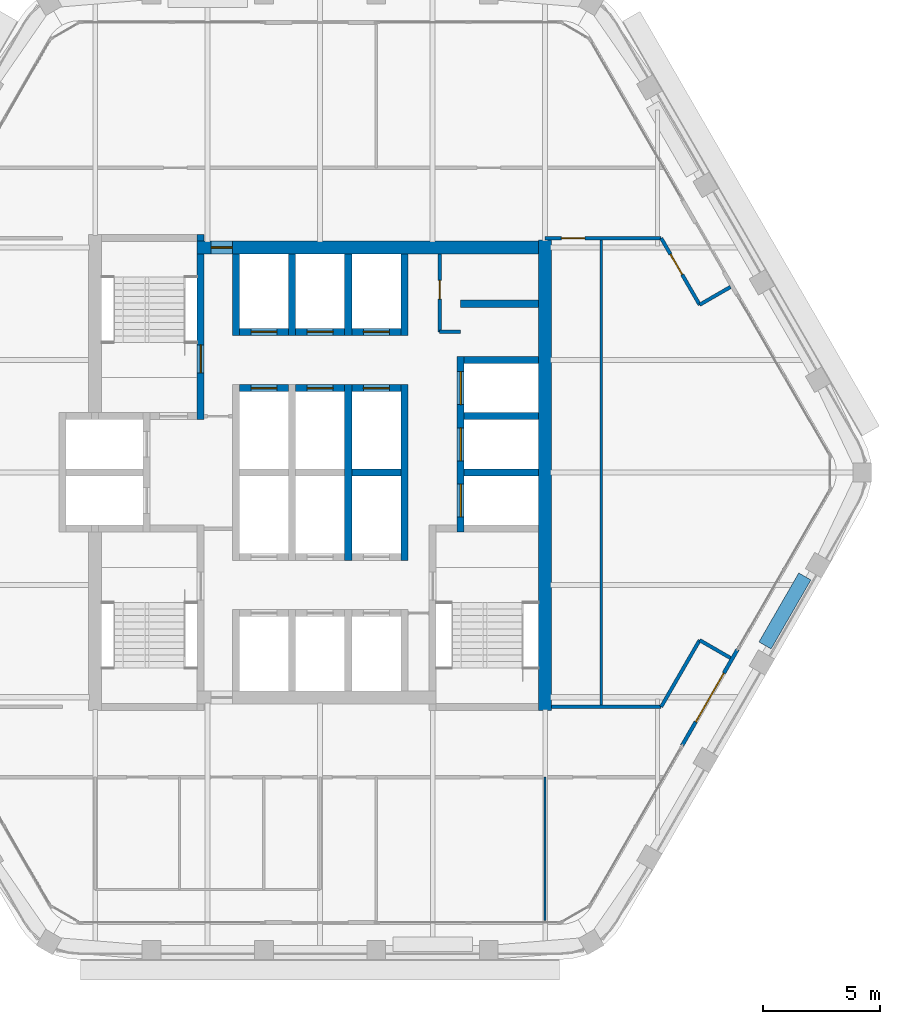
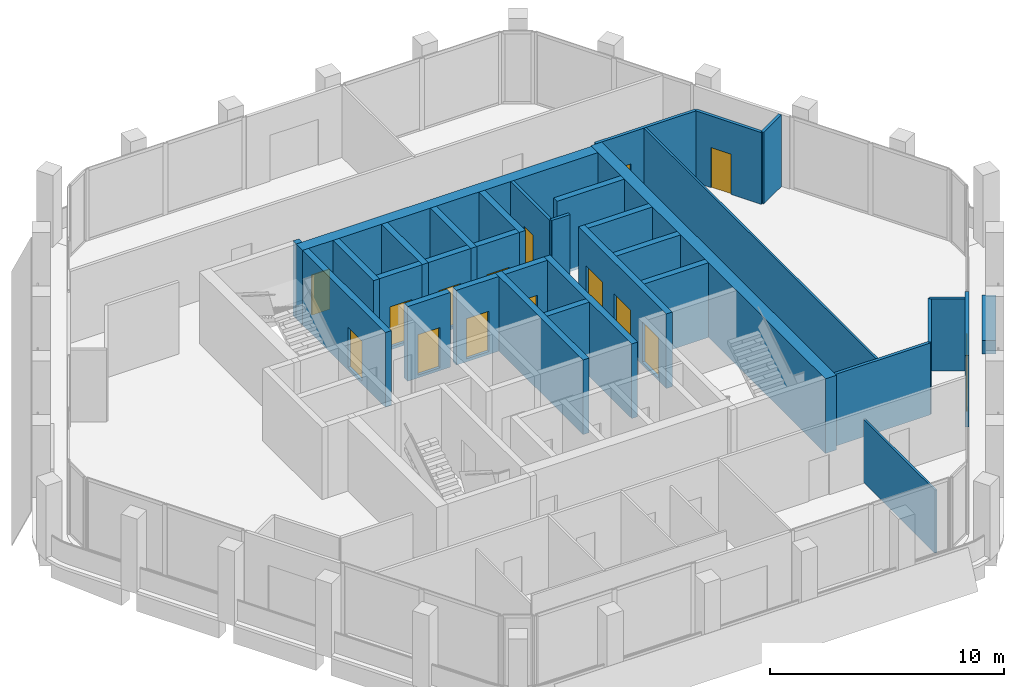
# One storey, part 9 of 13: 34 walls, 15 doors, 15 openings.
"""IFC4 building model written with IfcOpenShell, lengths in metres."""

from ifc_helpers import new_model, si_unit, direction, frame, frame_2d, origin, place, context, subcontext, project, spatial, rectangle, extrude, material, layer, layer_set, type_object, element, fill, save


model = new_model("IFC4")

# Units and contexts
model_context = context("Model", 3, precision=1e-05, world=origin(), true_north=direction((0.0, 1.0)))
body_context = subcontext(model_context, "Body", "Model", "MODEL_VIEW")
ifc_project = project(units=[si_unit("LENGTHUNIT", "METRE"), si_unit("AREAUNIT", "SQUARE_METRE"), si_unit("VOLUMEUNIT", "CUBIC_METRE"), si_unit("PLANEANGLEUNIT", "RADIAN"), si_unit("MASSUNIT", "GRAM", prefix="KILO")], contexts=[model_context])

# Site, building, storey
site_placement = place(None, origin())
site = spatial("IfcSite", under=ifc_project, at=site_placement, CompositionType="ELEMENT")
building_placement = place(site_placement, origin())
building = spatial("IfcBuilding", under=site, at=building_placement, Name="Kolab Exchange Tower", CompositionType="ELEMENT")
storey_placement = place(building_placement, frame((0.0, 0.0, 273.5)))
storey = spatial("IfcBuildingStorey", under=building, at=storey_placement, Name="L61", CompositionType="ELEMENT", Elevation=273.5)

# Wall, opening, door
ifc_material_1 = material(Name="Concrete C50/60", Category="concrete")
ifc_layer_1 = layer(ifc_material_1, 0.550048828125)
ifc_layer_set_1 = layer_set([ifc_layer_1], Name="Concrete C50/60")
wall_type_1 = type_object("IfcWallType", Name="CORE WALL 550 C50/60", PredefinedType="SHEAR", material=ifc_layer_set_1)
wall_1_placement = place(storey_placement, frame((-5.25, 9.60009765625, -0.14990234375), z_axis=(0.0, 0.0, 1.0), x_axis=(1.0, 0.0, 0.0)))
wall_1 = element("IfcWall", 1, at=wall_1_placement, inside=storey, type_object=wall_type_1, Name="wall/L61/core/031", PredefinedType="SHEAR", context=body_context, shape_type="SweptSolid", body=[
    extrude(rectangle(XDim=14.574951171875, YDim=0.550048828125, at=frame_2d((7.28759765625, 0.0))), origin(), (0.0, 0.0, 1.0), 3.89990234375),
])
opening_1_placement = place(wall_1_placement, frame((0.60009765625, 0.0, 0.14990234375)))
opening_1 = element("IfcOpeningElement", 2, at=opening_1_placement, cuts=wall_1, Name="Opening D6-295", PredefinedType="OPENING", context=body_context, shape_type="SweptSolid", body=[
    extrude(rectangle(XDim=0.89990234375, YDim=2.10009765625, at=frame_2d((0.449951171875, 1.050048828125))), frame((0.0, 0.28515625, 0.0), z_axis=(0.0, -1.0, 0.0), x_axis=(1.0, 0.0, 0.0)), (0.0, 0.0, 1.0), 0.570068359375),
])
ifc_material_2 = material(Name="Steel S235", Category="steel")
door_type_1 = type_object("IfcDoorType", Name="CORE DOOR 900 EI 120", OperationType="SINGLE_SWING_LEFT", PredefinedType="DOOR", material=ifc_material_2)
door_1_placement = place(opening_1_placement, frame((0.89990234375, 0.0, 0.0), z_axis=(0.0, 0.0, 1.0), x_axis=(-1.0, 0.0, 0.0)))
door_1 = element("IfcDoor", 3, at=door_1_placement, inside=storey, type_object=door_type_1, Name="Core lobby door", OperationType="SINGLE_SWING_RIGHT", OverallHeight=2.10009765625, OverallWidth=0.89990234375, PredefinedType="DOOR", context=body_context, shape_type="SweptSolid", body=[
    extrude(rectangle(XDim=0.89990234375, YDim=2.10009765625, at=frame_2d((0.449951171875, 1.050048828125))), frame((0.0, 0.02490234375, 0.0), z_axis=(0.0, -1.0, 0.0), x_axis=(1.0, 0.0, 0.0)), (0.0, 0.0, 1.0), 0.050048828125),
])
fill(opening_1, door_1)

# Wall
wall_2_placement = place(storey_placement, frame((9.60009765625, -10.14990234375, -0.14990234375), z_axis=(0.0, 0.0, 1.0), x_axis=(0.0, 1.0, 0.0)))
element("IfcWall", 4, at=wall_2_placement, inside=storey, type_object=wall_type_1, Name="wall/L61/core/058", PredefinedType="SHEAR", context=body_context, shape_type="SweptSolid", body=[
    extrude(rectangle(XDim=20.074951171875, YDim=0.550048828125, at=frame_2d((10.03759765625, 0.0))), origin(), (0.0, 0.0, 1.0), 3.89990234375),
])

# Wall, opening, door
ifc_material_3 = material(Name="Aluminium EN AW-6063 T6", Category="aluminium")
ifc_layer_2 = layer(ifc_material_3, 0.159912109375)
ifc_layer_set_2 = layer_set([ifc_layer_2], Name="Aluminium EN AW-6063 T6")
wall_type_2 = type_object("IfcWallType", Name="DOOR SURROUND WALL 160 ALUMINIUM FRAMED", PredefinedType="PARTITIONING", material=ifc_layer_set_2)
wall_3_placement = place(storey_placement, frame((17.816650390625, -7.5498046875, 0.0), z_axis=(0.0, 0.0, 1.0), x_axis=(-0.499978080042, -0.866038058908, 0.0)))
wall_3 = element("IfcWall", 5, at=wall_3_placement, inside=storey, type_object=wall_type_2, Name="Door surround wall", PredefinedType="PARTITIONING", context=body_context, shape_type="SweptSolid", body=[
    extrude(rectangle(XDim=4.739990234375, YDim=0.159912109375, at=frame_2d((2.3701171875, 0.0))), origin(), (0.0, 0.0, 1.0), 3.75),
])
opening_2_placement = place(wall_3_placement, frame((1.169921875, 0.0, 0.0)))
opening_2 = element("IfcOpeningElement", 6, at=opening_2_placement, cuts=wall_3, Name="Opening GD1-091", PredefinedType="OPENING", context=body_context, shape_type="SweptSolid", body=[
    extrude(rectangle(XDim=2.39990234375, YDim=2.39990234375, at=frame_2d((1.199951171875, 1.199951171875))), frame((0.0, 0.08984375, 0.0), z_axis=(0.0, -1.0, 0.0), x_axis=(1.0, 0.0, 0.0)), (0.0, 0.0, 1.0), 0.179931640625),
])
door_type_2 = type_object("IfcDoorType", Name="LOGGIA SLIDING GLASS DOOR 2400 X 2400", OperationType="DOUBLE_DOOR_SINGLE_SWING", PredefinedType="DOOR", material=ifc_material_3)
door_2_placement = place(opening_2_placement, origin())
door_2 = element("IfcDoor", 7, at=door_2_placement, inside=storey, type_object=door_type_2, Name="Loggia door", OperationType="DOUBLE_DOOR_SLIDING", OverallHeight=2.39990234375, OverallWidth=2.39990234375, PredefinedType="DOOR", context=body_context, shape_type="SweptSolid", body=[
    extrude(rectangle(XDim=2.39990234375, YDim=2.39990234375, at=frame_2d((1.199951171875, 1.199951171875))), frame((0.0, 0.02490234375, 0.0), z_axis=(0.0, -1.0, 0.0), x_axis=(1.0, 0.0, 0.0)), (0.0, 0.0, 1.0), 0.050048828125),
])
fill(opening_2, door_2)

# Walls
ifc_layer_3 = layer(ifc_material_1, 0.300048828125)
ifc_layer_set_3 = layer_set([ifc_layer_3], Name="Concrete C50/60")
wall_type_3 = type_object("IfcWallType", Name="LIFT SHAFT WALL 300 C50/60", PredefinedType="STANDARD", material=ifc_layer_set_3)
wall_4_placement = place(storey_placement, frame((1.35009765625, 0.0, -0.14990234375), z_axis=(0.0, 0.0, 1.0), x_axis=(1.0, 0.0, 0.0)))
element("IfcWall", 8, at=wall_4_placement, inside=storey, type_object=wall_type_3, Name="wall/L61/core/017", PredefinedType="STANDARD", context=body_context, shape_type="SweptSolid", body=[
    extrude(rectangle(XDim=2.099853515625, YDim=0.300048828125, at=frame_2d((1.0498046875, 0.0))), origin(), (0.0, 0.0, 1.0), 3.89990234375),
])
for number, where, z_axis, x_axis, name in (
    (9, (6.14990234375, 0.0, -0.14990234375), (0.0, 0.0, 1.0), (1.0, 0.0, 0.0), "wall/L61/core/018"),
    (10, (6.14990234375, 2.39990234375, -0.14990234375), (0.0, 0.0, 1.0), (1.0, 0.0, 0.0), "wall/L61/core/022"),
):
    element("IfcWall", number, at=place(storey_placement, frame(where, z_axis=z_axis, x_axis=x_axis)), inside=storey, type_object=wall_type_3, Name=name, PredefinedType="STANDARD", context=body_context, shape_type="SweptSolid", body=[
        extrude(rectangle(XDim=3.175048828125, YDim=0.300048828125, at=frame_2d((1.58740234375, 0.0))), origin(), (0.0, 0.0, 1.0), 3.89990234375),
    ])

# Wall, opening, door
wall_5_placement = place(storey_placement, frame((-3.449951171875, 3.60009765625, -0.14990234375), z_axis=(0.0, 0.0, 1.0), x_axis=(1.0, 0.0, 0.0)))
wall_5 = element("IfcWall", 11, at=wall_5_placement, inside=storey, type_object=wall_type_3, Name="wall/L61/core/023", PredefinedType="STANDARD", context=body_context, shape_type="SweptSolid", body=[
    extrude(rectangle(XDim=2.099853515625, YDim=0.300048828125, at=frame_2d((1.0498046875, 0.0))), origin(), (0.0, 0.0, 1.0), 3.89990234375),
])
opening_3_placement = place(wall_5_placement, frame((0.5, 0.0, 0.14990234375)))
opening_3 = element("IfcOpeningElement", 12, at=opening_3_placement, cuts=wall_5, Name="Opening LD1-115", PredefinedType="OPENING", context=body_context, shape_type="SweptSolid", body=[
    extrude(rectangle(XDim=1.10009765625, YDim=2.10009765625, at=frame_2d((0.550048828125, 1.050048828125))), frame((0.0, 0.16015625, 0.0), z_axis=(0.0, -1.0, 0.0), x_axis=(1.0, 0.0, 0.0)), (0.0, 0.0, 1.0), 0.320068359375),
])
ifc_material_4 = material(Name="Stainless steel 316", Category="steel")
door_type_3 = type_object("IfcDoorType", Name="LANDING DOOR 1100 PASSENGER", OperationType="DOUBLE_DOOR_SLIDING", PredefinedType="DOOR", material=ifc_material_4)
door_3_placement = place(opening_3_placement, origin())
door_3 = element("IfcDoor", 13, at=door_3_placement, inside=storey, type_object=door_type_3, Name="Landing door HR4", OperationType="DOUBLE_DOOR_SLIDING", OverallHeight=2.10009765625, OverallWidth=1.10009765625, PredefinedType="DOOR", context=body_context, shape_type="SweptSolid", body=[
    extrude(rectangle(XDim=1.10009765625, YDim=2.10009765625, at=frame_2d((0.550048828125, 1.050048828125))), frame((0.0, 0.02490234375, 0.0), z_axis=(0.0, -1.0, 0.0), x_axis=(1.0, 0.0, 0.0)), (0.0, 0.0, 1.0), 0.050048828125),
])
fill(opening_3, door_3)

wall_6_placement = place(storey_placement, frame((-1.050048828125, 3.60009765625, -0.14990234375), z_axis=(0.0, 0.0, 1.0), x_axis=(1.0, 0.0, 0.0)))
wall_6 = element("IfcWall", 14, at=wall_6_placement, inside=storey, type_object=wall_type_3, Name="wall/L61/core/024", PredefinedType="STANDARD", context=body_context, shape_type="SweptSolid", body=[
    extrude(rectangle(XDim=2.10009765625, YDim=0.300048828125, at=frame_2d((1.050048828125, 0.0))), origin(), (0.0, 0.0, 1.0), 3.89990234375),
])
opening_4_placement = place(wall_6_placement, frame((0.5, 0.0, 0.14990234375)))
opening_4 = element("IfcOpeningElement", 15, at=opening_4_placement, cuts=wall_6, Name="Opening LD1-116", PredefinedType="OPENING", context=body_context, shape_type="SweptSolid", body=[
    extrude(rectangle(XDim=1.10009765625, YDim=2.10009765625, at=frame_2d((0.550048828125, 1.050048828125))), frame((0.0, 0.16015625, 0.0), z_axis=(0.0, -1.0, 0.0), x_axis=(1.0, 0.0, 0.0)), (0.0, 0.0, 1.0), 0.320068359375),
])
door_4_placement = place(opening_4_placement, origin())
door_4 = element("IfcDoor", 16, at=door_4_placement, inside=storey, type_object=door_type_3, Name="Landing door HR5", OperationType="DOUBLE_DOOR_SLIDING", OverallHeight=2.10009765625, OverallWidth=1.10009765625, PredefinedType="DOOR", context=body_context, shape_type="SweptSolid", body=[
    extrude(rectangle(XDim=1.10009765625, YDim=2.10009765625, at=frame_2d((0.550048828125, 1.050048828125))), frame((0.0, 0.02490234375, 0.0), z_axis=(0.0, -1.0, 0.0), x_axis=(1.0, 0.0, 0.0)), (0.0, 0.0, 1.0), 0.050048828125),
])
fill(opening_4, door_4)

wall_7_placement = place(storey_placement, frame((1.35009765625, 3.60009765625, -0.14990234375), z_axis=(0.0, 0.0, 1.0), x_axis=(1.0, 0.0, 0.0)))
wall_7 = element("IfcWall", 17, at=wall_7_placement, inside=storey, type_object=wall_type_3, Name="wall/L61/core/025", PredefinedType="STANDARD", context=body_context, shape_type="SweptSolid", body=[
    extrude(rectangle(XDim=2.099853515625, YDim=0.300048828125, at=frame_2d((1.0498046875, 0.0))), origin(), (0.0, 0.0, 1.0), 3.89990234375),
])
opening_5_placement = place(wall_7_placement, frame((0.5, 0.0, 0.14990234375)))
opening_5 = element("IfcOpeningElement", 18, at=opening_5_placement, cuts=wall_7, Name="Opening LD1-117", PredefinedType="OPENING", context=body_context, shape_type="SweptSolid", body=[
    extrude(rectangle(XDim=1.10009765625, YDim=2.10009765625, at=frame_2d((0.550048828125, 1.050048828125))), frame((0.0, 0.16015625, 0.0), z_axis=(0.0, -1.0, 0.0), x_axis=(1.0, 0.0, 0.0)), (0.0, 0.0, 1.0), 0.320068359375),
])
door_5_placement = place(opening_5_placement, origin())
door_5 = element("IfcDoor", 19, at=door_5_placement, inside=storey, type_object=door_type_3, Name="Landing door HR6", OperationType="DOUBLE_DOOR_SLIDING", OverallHeight=2.10009765625, OverallWidth=1.10009765625, PredefinedType="DOOR", context=body_context, shape_type="SweptSolid", body=[
    extrude(rectangle(XDim=1.10009765625, YDim=2.10009765625, at=frame_2d((0.550048828125, 1.050048828125))), frame((0.0, 0.02490234375, 0.0), z_axis=(0.0, -1.0, 0.0), x_axis=(1.0, 0.0, 0.0)), (0.0, 0.0, 1.0), 0.050048828125),
])
fill(opening_5, door_5)

# Wall
wall_8_placement = place(storey_placement, frame((6.14990234375, 4.800048828125, -0.14990234375), z_axis=(0.0, 0.0, 1.0), x_axis=(1.0, 0.0, 0.0)))
element("IfcWall", 20, at=wall_8_placement, inside=storey, type_object=wall_type_3, Name="wall/L61/core/026", PredefinedType="STANDARD", context=body_context, shape_type="SweptSolid", body=[
    extrude(rectangle(XDim=3.175048828125, YDim=0.300048828125, at=frame_2d((1.58740234375, 0.0))), origin(), (0.0, 0.0, 1.0), 3.89990234375),
])

# Wall, opening, door
wall_9_placement = place(storey_placement, frame((-3.449951171875, 6.0, -0.14990234375), z_axis=(0.0, 0.0, 1.0), x_axis=(1.0, 0.0, 0.0)))
wall_9 = element("IfcWall", 21, at=wall_9_placement, inside=storey, type_object=wall_type_3, Name="wall/L61/core/027", PredefinedType="STANDARD", context=body_context, shape_type="SweptSolid", body=[
    extrude(rectangle(XDim=2.099853515625, YDim=0.300048828125, at=frame_2d((1.0498046875, 0.0))), origin(), (0.0, 0.0, 1.0), 3.89990234375),
])
opening_6_placement = place(wall_9_placement, frame((0.5, 0.0, 0.14990234375)))
opening_6 = element("IfcOpeningElement", 22, at=opening_6_placement, cuts=wall_9, Name="Opening LD1-109", PredefinedType="OPENING", context=body_context, shape_type="SweptSolid", body=[
    extrude(rectangle(XDim=1.10009765625, YDim=2.10009765625, at=frame_2d((0.550048828125, 1.050048828125))), frame((0.0, 0.16015625, 0.0), z_axis=(0.0, -1.0, 0.0), x_axis=(1.0, 0.0, 0.0)), (0.0, 0.0, 1.0), 0.320068359375),
])
door_6_placement = place(opening_6_placement, origin())
door_6 = element("IfcDoor", 23, at=door_6_placement, inside=storey, type_object=door_type_3, Name="Landing door HR1", OperationType="DOUBLE_DOOR_SLIDING", OverallHeight=2.10009765625, OverallWidth=1.10009765625, PredefinedType="DOOR", context=body_context, shape_type="SweptSolid", body=[
    extrude(rectangle(XDim=1.10009765625, YDim=2.10009765625, at=frame_2d((0.550048828125, 1.050048828125))), frame((0.0, 0.02490234375, 0.0), z_axis=(0.0, -1.0, 0.0), x_axis=(1.0, 0.0, 0.0)), (0.0, 0.0, 1.0), 0.050048828125),
])
fill(opening_6, door_6)

wall_10_placement = place(storey_placement, frame((-1.050048828125, 6.0, -0.14990234375), z_axis=(0.0, 0.0, 1.0), x_axis=(1.0, 0.0, 0.0)))
wall_10 = element("IfcWall", 24, at=wall_10_placement, inside=storey, type_object=wall_type_3, Name="wall/L61/core/028", PredefinedType="STANDARD", context=body_context, shape_type="SweptSolid", body=[
    extrude(rectangle(XDim=2.10009765625, YDim=0.300048828125, at=frame_2d((1.050048828125, 0.0))), origin(), (0.0, 0.0, 1.0), 3.89990234375),
])
opening_7_placement = place(wall_10_placement, frame((0.5, 0.0, 0.14990234375)))
opening_7 = element("IfcOpeningElement", 25, at=opening_7_placement, cuts=wall_10, Name="Opening LD1-113", PredefinedType="OPENING", context=body_context, shape_type="SweptSolid", body=[
    extrude(rectangle(XDim=1.10009765625, YDim=2.10009765625, at=frame_2d((0.550048828125, 1.050048828125))), frame((0.0, 0.16015625, 0.0), z_axis=(0.0, -1.0, 0.0), x_axis=(1.0, 0.0, 0.0)), (0.0, 0.0, 1.0), 0.320068359375),
])
door_7_placement = place(opening_7_placement, origin())
door_7 = element("IfcDoor", 26, at=door_7_placement, inside=storey, type_object=door_type_3, Name="Landing door HR2", OperationType="DOUBLE_DOOR_SLIDING", OverallHeight=2.10009765625, OverallWidth=1.10009765625, PredefinedType="DOOR", context=body_context, shape_type="SweptSolid", body=[
    extrude(rectangle(XDim=1.10009765625, YDim=2.10009765625, at=frame_2d((0.550048828125, 1.050048828125))), frame((0.0, 0.02490234375, 0.0), z_axis=(0.0, -1.0, 0.0), x_axis=(1.0, 0.0, 0.0)), (0.0, 0.0, 1.0), 0.050048828125),
])
fill(opening_7, door_7)

wall_11_placement = place(storey_placement, frame((1.35009765625, 6.0, -0.14990234375), z_axis=(0.0, 0.0, 1.0), x_axis=(1.0, 0.0, 0.0)))
wall_11 = element("IfcWall", 27, at=wall_11_placement, inside=storey, type_object=wall_type_3, Name="wall/L61/core/029", PredefinedType="STANDARD", context=body_context, shape_type="SweptSolid", body=[
    extrude(rectangle(XDim=2.099853515625, YDim=0.300048828125, at=frame_2d((1.0498046875, 0.0))), origin(), (0.0, 0.0, 1.0), 3.89990234375),
])
opening_8_placement = place(wall_11_placement, frame((0.5, 0.0, 0.14990234375)))
opening_8 = element("IfcOpeningElement", 28, at=opening_8_placement, cuts=wall_11, Name="Opening LD1-114", PredefinedType="OPENING", context=body_context, shape_type="SweptSolid", body=[
    extrude(rectangle(XDim=1.10009765625, YDim=2.10009765625, at=frame_2d((0.550048828125, 1.050048828125))), frame((0.0, 0.16015625, 0.0), z_axis=(0.0, -1.0, 0.0), x_axis=(1.0, 0.0, 0.0)), (0.0, 0.0, 1.0), 0.320068359375),
])
door_8_placement = place(opening_8_placement, origin())
door_8 = element("IfcDoor", 29, at=door_8_placement, inside=storey, type_object=door_type_3, Name="Landing door HR3", OperationType="DOUBLE_DOOR_SLIDING", OverallHeight=2.10009765625, OverallWidth=1.10009765625, PredefinedType="DOOR", context=body_context, shape_type="SweptSolid", body=[
    extrude(rectangle(XDim=1.10009765625, YDim=2.10009765625, at=frame_2d((0.550048828125, 1.050048828125))), frame((0.0, 0.02490234375, 0.0), z_axis=(0.0, -1.0, 0.0), x_axis=(1.0, 0.0, 0.0)), (0.0, 0.0, 1.0), 0.050048828125),
])
fill(opening_8, door_8)

# Walls
wall_12_placement = place(storey_placement, frame((6.0, 7.199951171875, -0.14990234375), z_axis=(0.0, 0.0, 1.0), x_axis=(1.0, 0.0, 0.0)))
element("IfcWall", 30, at=wall_12_placement, inside=storey, type_object=wall_type_3, Name="wall/L61/core/030", PredefinedType="STANDARD", context=body_context, shape_type="SweptSolid", body=[
    extrude(rectangle(XDim=3.324951171875, YDim=0.300048828125, at=frame_2d((1.66259765625, 0.0))), origin(), (0.0, 0.0, 1.0), 3.89990234375),
])
for number, where, z_axis, x_axis, name in (
    (31, (-3.60009765625, 5.85009765625, -0.14990234375), (0.0, 0.0, 1.0), (0.0, 1.0, 0.0), "wall/L61/core/045"),
    (32, (-1.199951171875, 5.85009765625, -0.14990234375), (0.0, 0.0, 1.0), (0.0, 1.0, 0.0), "wall/L61/core/048"),
):
    element("IfcWall", number, at=place(storey_placement, frame(where, z_axis=z_axis, x_axis=x_axis)), inside=storey, type_object=wall_type_3, Name=name, PredefinedType="STANDARD", context=body_context, shape_type="SweptSolid", body=[
        extrude(rectangle(XDim=3.474853515625, YDim=0.300048828125, at=frame_2d((1.7373046875, 0.0))), origin(), (0.0, 0.0, 1.0), 3.89990234375),
    ])
wall_13_placement = place(storey_placement, frame((1.199951171875, -3.75, -0.14990234375), z_axis=(0.0, 0.0, 1.0), x_axis=(0.0, 1.0, 0.0)))
element("IfcWall", 33, at=wall_13_placement, inside=storey, type_object=wall_type_3, Name="wall/L61/core/050", PredefinedType="STANDARD", context=body_context, shape_type="SweptSolid", body=[
    extrude(rectangle(XDim=7.5, YDim=0.300048828125, at=frame_2d((3.75, 0.0))), origin(), (0.0, 0.0, 1.0), 3.89990234375),
])
wall_14_placement = place(storey_placement, frame((1.199951171875, 5.85009765625, -0.14990234375), z_axis=(0.0, 0.0, 1.0), x_axis=(0.0, 1.0, 0.0)))
element("IfcWall", 34, at=wall_14_placement, inside=storey, type_object=wall_type_3, Name="wall/L61/core/051", PredefinedType="STANDARD", context=body_context, shape_type="SweptSolid", body=[
    extrude(rectangle(XDim=3.474853515625, YDim=0.300048828125, at=frame_2d((1.7373046875, 0.0))), origin(), (0.0, 0.0, 1.0), 3.89990234375),
])
wall_15_placement = place(storey_placement, frame((3.60009765625, -3.75, -0.14990234375), z_axis=(0.0, 0.0, 1.0), x_axis=(0.0, 1.0, 0.0)))
element("IfcWall", 35, at=wall_15_placement, inside=storey, type_object=wall_type_3, Name="wall/L61/core/053", PredefinedType="STANDARD", context=body_context, shape_type="SweptSolid", body=[
    extrude(rectangle(XDim=7.5, YDim=0.300048828125, at=frame_2d((3.75, 0.0))), origin(), (0.0, 0.0, 1.0), 3.89990234375),
])
wall_16_placement = place(storey_placement, frame((3.60009765625, 5.85009765625, -0.14990234375), z_axis=(0.0, 0.0, 1.0), x_axis=(0.0, 1.0, 0.0)))
element("IfcWall", 36, at=wall_16_placement, inside=storey, type_object=wall_type_3, Name="wall/L61/core/054", PredefinedType="STANDARD", context=body_context, shape_type="SweptSolid", body=[
    extrude(rectangle(XDim=3.474853515625, YDim=0.300048828125, at=frame_2d((1.7373046875, 0.0))), origin(), (0.0, 0.0, 1.0), 3.89990234375),
])

# Wall, openings, doors
wall_17_placement = place(storey_placement, frame((6.0, -2.550048828125, -0.14990234375), z_axis=(0.0, 0.0, 1.0), x_axis=(0.0, 1.0, 0.0)))
wall_17 = element("IfcWall", 37, at=wall_17_placement, inside=storey, type_object=wall_type_3, Name="wall/L61/core/057", PredefinedType="STANDARD", context=body_context, shape_type="SweptSolid", body=[
    extrude(rectangle(XDim=7.5, YDim=0.300048828125, at=frame_2d((3.75, 0.0))), origin(), (0.0, 0.0, 1.0), 3.89990234375),
])
opening_9_placement = place(wall_17_placement, frame((0.64990234375, 0.0, 0.14990234375)))
opening_9 = element("IfcOpeningElement", 38, at=opening_9_placement, cuts=wall_17, Name="Opening LD3-037", PredefinedType="OPENING", context=body_context, shape_type="SweptSolid", body=[
    extrude(rectangle(XDim=1.39990234375, YDim=2.10009765625, at=frame_2d((0.699951171875, 1.050048828125))), frame((0.0, 0.16015625, 0.0), z_axis=(0.0, -1.0, 0.0), x_axis=(1.0, 0.0, 0.0)), (0.0, 0.0, 1.0), 0.320068359375),
])
opening_10_placement = place(wall_17_placement, frame((3.050048828125, 0.0, 0.14990234375)))
opening_10 = element("IfcOpeningElement", 39, at=opening_10_placement, cuts=wall_17, Name="Opening LD3-038", PredefinedType="OPENING", context=body_context, shape_type="SweptSolid", body=[
    extrude(rectangle(XDim=1.39990234375, YDim=2.10009765625, at=frame_2d((0.699951171875, 1.050048828125))), frame((0.0, 0.16015625, 0.0), z_axis=(0.0, -1.0, 0.0), x_axis=(1.0, 0.0, 0.0)), (0.0, 0.0, 1.0), 0.320068359375),
])
opening_11_placement = place(wall_17_placement, frame((5.449951171875, 0.0, 0.14990234375)))
opening_11 = element("IfcOpeningElement", 40, at=opening_11_placement, cuts=wall_17, Name="Opening LD3-039", PredefinedType="OPENING", context=body_context, shape_type="SweptSolid", body=[
    extrude(rectangle(XDim=1.39990234375, YDim=2.10009765625, at=frame_2d((0.699951171875, 1.050048828125))), frame((0.0, 0.16015625, 0.0), z_axis=(0.0, -1.0, 0.0), x_axis=(1.0, 0.0, 0.0)), (0.0, 0.0, 1.0), 0.320068359375),
])
door_type_4 = type_object("IfcDoorType", Name="LANDING DOOR 1400 SERVICE", OperationType="DOUBLE_DOOR_SLIDING", PredefinedType="DOOR", material=ifc_material_4)
door_9_placement = place(opening_9_placement, origin())
door_9 = element("IfcDoor", 41, at=door_9_placement, inside=storey, type_object=door_type_4, Name="Landing door SV1", OperationType="DOUBLE_DOOR_SLIDING", OverallHeight=2.10009765625, OverallWidth=1.39990234375, PredefinedType="DOOR", context=body_context, shape_type="SweptSolid", body=[
    extrude(rectangle(XDim=1.39990234375, YDim=2.10009765625, at=frame_2d((0.699951171875, 1.050048828125))), frame((0.0, 0.02490234375, 0.0), z_axis=(0.0, -1.0, 0.0), x_axis=(1.0, 0.0, 0.0)), (0.0, 0.0, 1.0), 0.050048828125),
])
fill(opening_9, door_9)
door_10_placement = place(opening_10_placement, origin())
door_10 = element("IfcDoor", 42, at=door_10_placement, inside=storey, type_object=door_type_4, Name="Landing door SV2", OperationType="DOUBLE_DOOR_SLIDING", OverallHeight=2.10009765625, OverallWidth=1.39990234375, PredefinedType="DOOR", context=body_context, shape_type="SweptSolid", body=[
    extrude(rectangle(XDim=1.39990234375, YDim=2.10009765625, at=frame_2d((0.699951171875, 1.050048828125))), frame((0.0, 0.02490234375, 0.0), z_axis=(0.0, -1.0, 0.0), x_axis=(1.0, 0.0, 0.0)), (0.0, 0.0, 1.0), 0.050048828125),
])
fill(opening_10, door_10)
door_11_placement = place(opening_11_placement, origin())
door_11 = element("IfcDoor", 43, at=door_11_placement, inside=storey, type_object=door_type_4, Name="Landing door SV3", OperationType="DOUBLE_DOOR_SLIDING", OverallHeight=2.10009765625, OverallWidth=1.39990234375, PredefinedType="DOOR", context=body_context, shape_type="SweptSolid", body=[
    extrude(rectangle(XDim=1.39990234375, YDim=2.10009765625, at=frame_2d((0.699951171875, 1.050048828125))), frame((0.0, 0.02490234375, 0.0), z_axis=(0.0, -1.0, 0.0), x_axis=(1.0, 0.0, 0.0)), (0.0, 0.0, 1.0), 0.050048828125),
])
fill(opening_11, door_11)

# Walls
ifc_material_5 = material(Name="Gypsum board", Category="gypsum")
ifc_layer_4 = layer(ifc_material_5, 0.10009765625)
ifc_layer_set_4 = layer_set([ifc_layer_4], Name="Gypsum board")
wall_type_4 = type_object("IfcWallType", Name="PARTITION 100", PredefinedType="PARTITIONING", material=ifc_layer_set_4)
wall_18_placement = place(storey_placement, frame((12.0, -10.0, 0.0), z_axis=(0.0, 0.0, 1.0), x_axis=(0.0, 1.0, 0.0)))
element("IfcWall", 44, at=wall_18_placement, inside=storey, type_object=wall_type_4, Name="Partition 000", PredefinedType="PARTITIONING", context=body_context, shape_type="SweptSolid", body=[
    extrude(rectangle(XDim=20.0, YDim=0.10009765625, at=frame_2d((10.0, 0.0))), origin(), (0.0, 0.0, 1.0), 3.75),
])
wall_19_placement = place(storey_placement, frame((9.60009765625, -19.114501953125, 0.0), z_axis=(0.0, 0.0, 1.0), x_axis=(0.0, 1.0, 0.0)))
element("IfcWall", 45, at=wall_19_placement, inside=storey, type_object=wall_type_4, Name="Partition 001", PredefinedType="PARTITIONING", context=body_context, shape_type="SweptSolid", body=[
    extrude(rectangle(XDim=6.114501953125, YDim=0.10009765625, at=frame_2d((3.05712890625, 0.0))), origin(), (0.0, 0.0, 1.0), 3.29296875),
])

# Wall, opening, door
ifc_layer_5 = layer(ifc_material_5, 0.14990234375)
ifc_layer_set_5 = layer_set([ifc_layer_5], Name="Gypsum board")
wall_type_5 = type_object("IfcWallType", Name="PARTITION 150 FIRE-RATED", PredefinedType="PARTITIONING", material=ifc_layer_set_5)
wall_20_placement = place(storey_placement, frame((5.10009765625, 6.0, 0.0), z_axis=(0.0, 0.0, 1.0), x_axis=(0.0, 1.0, 0.0)))
wall_20 = element("IfcWall", 46, at=wall_20_placement, inside=storey, type_object=wall_type_5, Name="Partition 002", PredefinedType="PARTITIONING", context=body_context, shape_type="SweptSolid", body=[
    extrude(rectangle(XDim=3.324951171875, YDim=0.14990234375, at=frame_2d((1.66259765625, 0.0))), origin(), (0.0, 0.0, 1.0), 3.75),
])
opening_12_placement = place(wall_20_placement, frame((1.39990234375, 0.0, 0.0)))
opening_12 = element("IfcOpeningElement", 47, at=opening_12_placement, cuts=wall_20, Name="Opening D7-042", PredefinedType="OPENING", context=body_context, shape_type="SweptSolid", body=[
    extrude(rectangle(XDim=0.800048828125, YDim=2.10009765625, at=frame_2d((0.39990234375, 1.050048828125))), frame((0.0, 0.0849609375, 0.0), z_axis=(0.0, -1.0, 0.0), x_axis=(1.0, 0.0, 0.0)), (0.0, 0.0, 1.0), 0.169921875),
])
door_type_5 = type_object("IfcDoorType", Name="FLUSH DOOR 800 FD60", OperationType="SINGLE_SWING_LEFT", PredefinedType="DOOR", material=ifc_material_2)
door_12_placement = place(opening_12_placement, frame((0.800048828125, 0.0, 0.0), z_axis=(0.0, 0.0, 1.0), x_axis=(-1.0, 0.0, 0.0)))
door_12 = element("IfcDoor", 48, at=door_12_placement, inside=storey, type_object=door_type_5, Name="Door L61-023", OperationType="SINGLE_SWING_LEFT", OverallHeight=2.10009765625, OverallWidth=0.800048828125, PredefinedType="DOOR", context=body_context, shape_type="SweptSolid", body=[
    extrude(rectangle(XDim=0.800048828125, YDim=2.10009765625, at=frame_2d((0.39990234375, 1.050048828125))), frame((0.0, 0.02490234375, 0.0), z_axis=(0.0, -1.0, 0.0), x_axis=(1.0, 0.0, 0.0)), (0.0, 0.0, 1.0), 0.050048828125),
])
fill(opening_12, door_12)

wall_21_placement = place(storey_placement, frame((14.5546875, 10.0, 0.0), z_axis=(0.0, 0.0, 1.0), x_axis=(0.499954196102, -0.866051847062, 0.0)))
wall_21 = element("IfcWall", 49, at=wall_21_placement, inside=storey, type_object=wall_type_5, Name="Partition 010", PredefinedType="PARTITIONING", context=body_context, shape_type="SweptSolid", body=[
    extrude(rectangle(XDim=3.282958984375, YDim=0.14990234375, at=frame_2d((1.6416015625, 0.0))), origin(), (0.0, 0.0, 1.0), 3.75),
])
opening_13_placement = place(wall_21_placement, frame((0.7939453125, 0.0, 0.0)))
opening_13 = element("IfcOpeningElement", 50, at=opening_13_placement, cuts=wall_21, Name="Opening D1-732", PredefinedType="OPENING", context=body_context, shape_type="SweptSolid", body=[
    extrude(rectangle(XDim=1.0, YDim=2.10009765625, at=frame_2d((0.5, 1.050048828125))), frame((0.0, 0.0849609375, 0.0), z_axis=(0.0, -1.0, 0.0), x_axis=(1.0, 0.0, 0.0)), (0.0, 0.0, 1.0), 0.169921875),
])
door_type_6 = type_object("IfcDoorType", Name="FLUSH DOOR 1000 FD60", OperationType="SINGLE_SWING_LEFT", PredefinedType="DOOR", material=ifc_material_2)
door_13_placement = place(opening_13_placement, frame((1.0, 0.0, 0.0), z_axis=(0.0, 0.0, 1.0), x_axis=(-1.0, 0.0, 0.0)))
door_13 = element("IfcDoor", 51, at=door_13_placement, inside=storey, type_object=door_type_6, Name="Door L61-038", OperationType="SINGLE_SWING_LEFT", OverallHeight=2.10009765625, OverallWidth=1.0, PredefinedType="DOOR", context=body_context, shape_type="SweptSolid", body=[
    extrude(rectangle(XDim=1.0, YDim=2.10009765625, at=frame_2d((0.5, 1.050048828125))), frame((0.0, 0.02490234375, 0.0), z_axis=(0.0, -1.0, 0.0), x_axis=(1.0, 0.0, 0.0)), (0.0, 0.0, 1.0), 0.050048828125),
])
fill(opening_13, door_13)

# Walls
wall_22_placement = place(storey_placement, frame((14.5546875, -10.0, 0.0), z_axis=(0.0, 0.0, 1.0), x_axis=(0.499954196102, 0.866051847062, 0.0)))
element("IfcWall", 52, at=wall_22_placement, inside=storey, type_object=wall_type_5, Name="Partition 011", PredefinedType="PARTITIONING", context=body_context, shape_type="SweptSolid", body=[
    extrude(rectangle(XDim=3.282958984375, YDim=0.14990234375, at=frame_2d((1.6416015625, 0.0))), origin(), (0.0, 0.0, 1.0), 3.75),
])
for number, where, z_axis, x_axis, name in (
    (53, (16.196044921875, -7.15673828125, 0.0), (0.0, 0.0, 1.0), (0.865960906633, -0.500111695708, 0.0), "Partition 014"),
    (54, (16.196044921875, 7.15673828125, 0.0), (0.0, 0.0, 1.0), (0.865960906633, 0.500111695708, 0.0), "Partition 015"),
):
    element("IfcWall", number, at=place(storey_placement, frame(where, z_axis=z_axis, x_axis=x_axis)), inside=storey, type_object=wall_type_5, Name=name, PredefinedType="PARTITIONING", context=body_context, shape_type="SweptSolid", body=[
        extrude(rectangle(XDim=1.520263671875, YDim=0.14990234375, at=frame_2d((0.76025390625, 0.0))), origin(), (0.0, 0.0, 1.0), 3.75),
    ])
wall_23_placement = place(storey_placement, frame((9.875, -10.0, 0.0), z_axis=(0.0, 0.0, 1.0), x_axis=(1.0, 0.0, 0.0)))
element("IfcWall", 55, at=wall_23_placement, inside=storey, type_object=wall_type_5, Name="Partition 020", PredefinedType="PARTITIONING", context=body_context, shape_type="SweptSolid", body=[
    extrude(rectangle(XDim=4.6796875, YDim=0.14990234375, at=frame_2d((2.33984375, 0.0))), origin(), (0.0, 0.0, 1.0), 3.75),
])
wall_24_placement = place(storey_placement, frame((5.10009765625, 6.0, 0.0), z_axis=(0.0, 0.0, 1.0), x_axis=(1.0, 0.0, 0.0)))
element("IfcWall", 56, at=wall_24_placement, inside=storey, type_object=wall_type_5, Name="Partition 022", PredefinedType="PARTITIONING", context=body_context, shape_type="SweptSolid", body=[
    extrude(rectangle(XDim=0.89990234375, YDim=0.14990234375, at=frame_2d((0.449951171875, 0.0))), origin(), (0.0, 0.0, 1.0), 3.75),
])

# Wall, opening, door
wall_25_placement = place(storey_placement, frame((9.60009765625, 10.0, 0.0), z_axis=(0.0, 0.0, 1.0), x_axis=(1.0, 0.0, 0.0)))
wall_25 = element("IfcWall", 57, at=wall_25_placement, inside=storey, type_object=wall_type_5, Name="Partition 024", PredefinedType="PARTITIONING", context=body_context, shape_type="SweptSolid", body=[
    extrude(rectangle(XDim=4.95458984375, YDim=0.14990234375, at=frame_2d((2.477294921875, 0.0))), origin(), (0.0, 0.0, 1.0), 3.75),
])
opening_14_placement = place(wall_25_placement, frame((0.699951171875, 0.0, 0.0)))
opening_14 = element("IfcOpeningElement", 58, at=opening_14_placement, cuts=wall_25, Name="Opening D1-731", PredefinedType="OPENING", context=body_context, shape_type="SweptSolid", body=[
    extrude(rectangle(XDim=1.0, YDim=2.10009765625, at=frame_2d((0.5, 1.050048828125))), frame((0.0, 0.0849609375, 0.0), z_axis=(0.0, -1.0, 0.0), x_axis=(1.0, 0.0, 0.0)), (0.0, 0.0, 1.0), 0.169921875),
])
door_14_placement = place(opening_14_placement, frame((1.0, 0.0, 0.0), z_axis=(0.0, 0.0, 1.0), x_axis=(-1.0, 0.0, 0.0)))
door_14 = element("IfcDoor", 59, at=door_14_placement, inside=storey, type_object=door_type_6, Name="Door L61-037", OperationType="SINGLE_SWING_LEFT", OverallHeight=2.10009765625, OverallWidth=1.0, PredefinedType="DOOR", context=body_context, shape_type="SweptSolid", body=[
    extrude(rectangle(XDim=1.0, YDim=2.10009765625, at=frame_2d((0.5, 1.050048828125))), frame((0.0, 0.02490234375, 0.0), z_axis=(0.0, -1.0, 0.0), x_axis=(1.0, 0.0, 0.0)), (0.0, 0.0, 1.0), 0.050048828125),
])
fill(opening_14, door_14)

# Wall
ifc_material_6 = material(Name="Granite facing", Category="masonry")
ifc_layer_6 = layer(ifc_material_6, 0.0400390625)
ifc_material_7 = material(Name="Concrete C40/50 precast", Category="concrete")
ifc_layer_7 = layer(ifc_material_7, 0.56005859375)
ifc_layer_set_6 = layer_set([ifc_layer_6, ifc_layer_7], Name="Concrete C40/50 precast")
wall_type_6 = type_object("IfcWallType", Name="PLANTER BOX 600 X 700 SOIL DEPTH 550", PredefinedType="USERDEFINED", material=ifc_layer_set_6)
wall_26_placement = place(storey_placement, frame((20.68701171875, -4.438232421875, 0.0), z_axis=(0.0, 0.0, 1.0), x_axis=(-0.500008388397, -0.866020560687, 0.0)))
element("IfcWall", 60, at=wall_26_placement, inside=storey, type_object=wall_type_6, Name="Planter", ObjectType="PLANTER", PredefinedType="USERDEFINED", context=body_context, shape_type="SweptSolid", body=[
    extrude(rectangle(XDim=3.39990234375, YDim=0.60009765625, at=frame_2d((1.699951171875, 0.0))), origin(), (0.0, 0.0, 1.0), 0.699951171875),
])

# Wall, opening, door
ifc_layer_8 = layer(ifc_material_1, 0.300048828125)
ifc_layer_set_7 = layer_set([ifc_layer_8], Name="Concrete C50/60")
wall_type_7 = type_object("IfcWallType", Name="STAIR ENCLOSURE WALL 300 C50/60", PredefinedType="STANDARD", material=ifc_layer_set_7)
wall_27_placement = place(storey_placement, frame((-5.10009765625, 2.25, -0.14990234375), z_axis=(0.0, 0.0, 1.0), x_axis=(0.0, 1.0, 0.0)))
wall_27 = element("IfcWall", 61, at=wall_27_placement, inside=storey, type_object=wall_type_7, Name="wall/L61/core/041", PredefinedType="STANDARD", context=body_context, shape_type="SweptSolid", body=[
    extrude(rectangle(XDim=7.074951171875, YDim=0.300048828125, at=frame_2d((3.53759765625, 0.0))), origin(), (0.0, 0.0, 1.0), 3.89990234375),
])
opening_15_placement = place(wall_27_placement, frame((2.0, 0.0, 0.14990234375)))
opening_15 = element("IfcOpeningElement", 62, at=opening_15_placement, cuts=wall_27, Name="Opening D4-076", PredefinedType="OPENING", context=body_context, shape_type="SweptSolid", body=[
    extrude(rectangle(XDim=1.199951171875, YDim=2.10009765625, at=frame_2d((0.60009765625, 1.050048828125))), frame((0.0, 0.16015625, 0.0), z_axis=(0.0, -1.0, 0.0), x_axis=(1.0, 0.0, 0.0)), (0.0, 0.0, 1.0), 0.320068359375),
])
door_type_7 = type_object("IfcDoorType", Name="STAIR DOOR 1200 EI 120", OperationType="SINGLE_SWING_LEFT", PredefinedType="DOOR", material=ifc_material_2)
door_15_placement = place(opening_15_placement, origin())
door_15 = element("IfcDoor", 63, at=door_15_placement, inside=storey, type_object=door_type_7, Name="Stair 1 door", OperationType="SINGLE_SWING_LEFT", OverallHeight=2.10009765625, OverallWidth=1.199951171875, PredefinedType="DOOR", context=body_context, shape_type="SweptSolid", body=[
    extrude(rectangle(XDim=1.199951171875, YDim=2.10009765625, at=frame_2d((0.60009765625, 1.050048828125))), frame((0.0, 0.02490234375, 0.0), z_axis=(0.0, -1.0, 0.0), x_axis=(1.0, 0.0, 0.0)), (0.0, 0.0, 1.0), 0.050048828125),
])
fill(opening_15, door_15)

# Wall
wall_28_placement = place(storey_placement, frame((-5.10009765625, 9.875, -0.14990234375), z_axis=(0.0, 0.0, 1.0), x_axis=(0.0, 1.0, 0.0)))
element("IfcWall", 64, at=wall_28_placement, inside=storey, type_object=wall_type_7, Name="wall/L61/core/042", PredefinedType="STANDARD", context=body_context, shape_type="SweptSolid", body=[
    extrude(rectangle(XDim=0.27490234375, YDim=0.300048828125, at=frame_2d((0.137451171875, 0.0))), origin(), (0.0, 0.0, 1.0), 3.89990234375),
])

save(model, "model.ifc")
